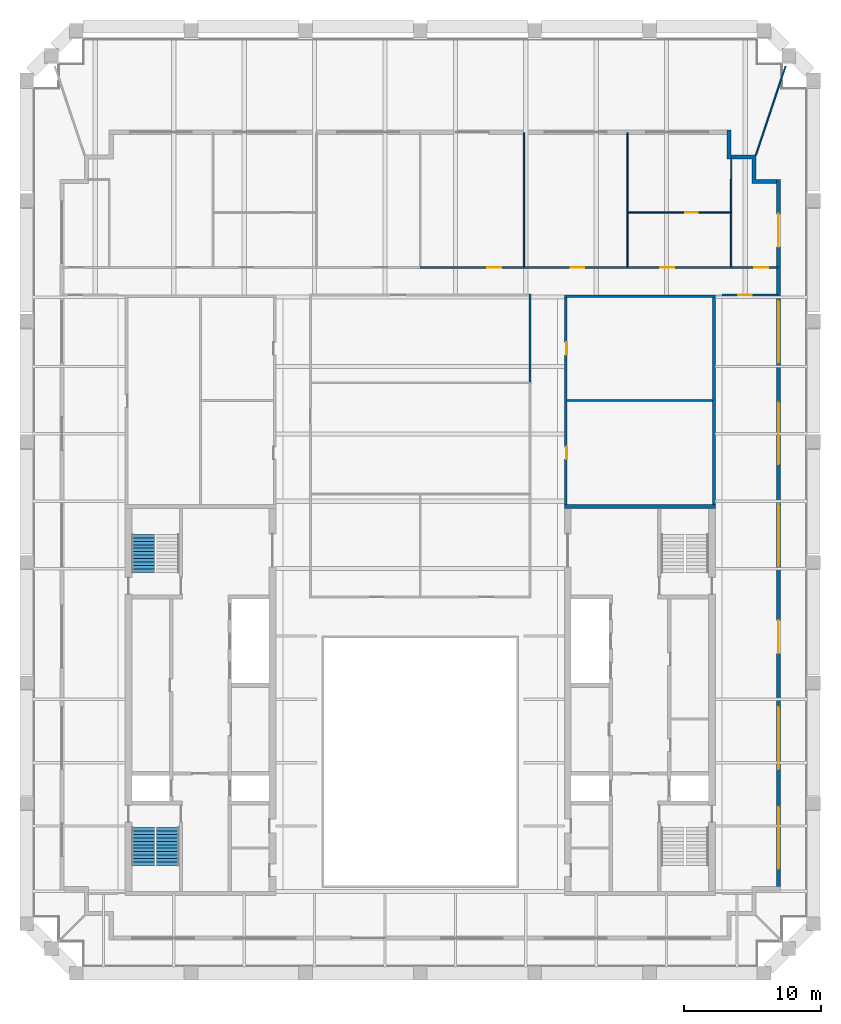
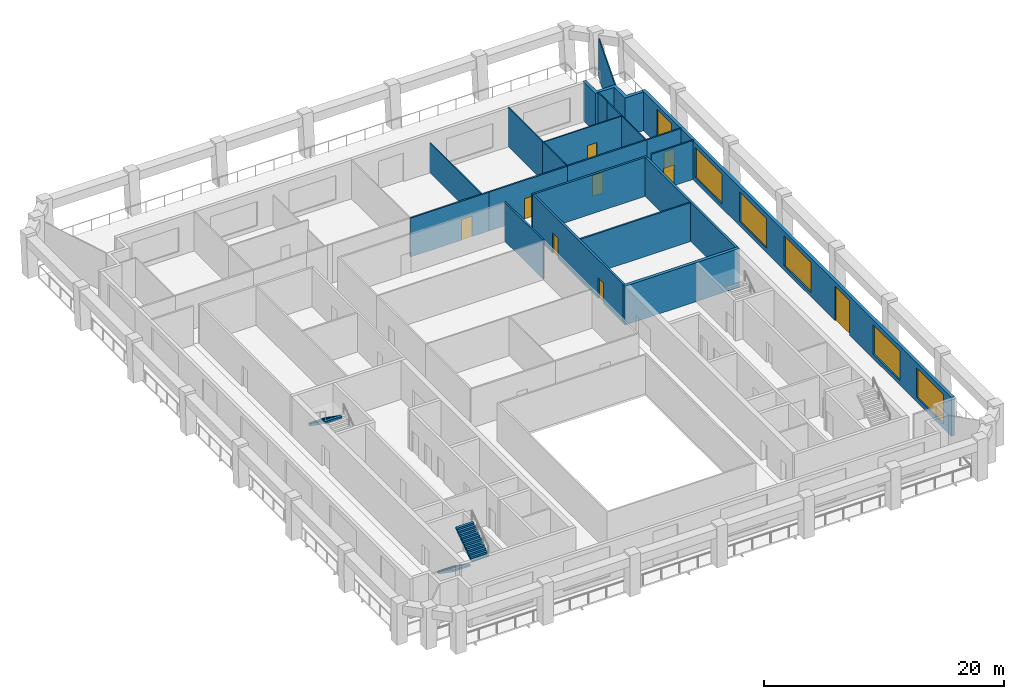
# One storey, part 6 of 9: 21 walls, 10 doors, 5 windows, 3 stair flights, 15 openings, 2 elements without a shape of their own.
"""IFC4 building model written with IfcOpenShell, lengths in metres."""

from ifc_helpers import new_model, si_unit, direction, frame, frame_2d, origin, place, context, subcontext, project, spatial, polyline, rectangle, outline, extrude, material, layer, layer_set, type_object, element, fill, aggregate, save


model = new_model("IFC4")

# Units and contexts
model_context = context("Model", 3, precision=1e-05, world=origin(), true_north=direction((0.0, 1.0)))
body_context = subcontext(model_context, "Body", "Model", "MODEL_VIEW")
ifc_project = project(units=[si_unit("LENGTHUNIT", "METRE"), si_unit("AREAUNIT", "SQUARE_METRE"), si_unit("VOLUMEUNIT", "CUBIC_METRE"), si_unit("PLANEANGLEUNIT", "RADIAN"), si_unit("MASSUNIT", "GRAM", prefix="KILO")], contexts=[model_context])

# Site, building, storey
site_placement = place(None, origin())
site = spatial("IfcSite", under=ifc_project, at=site_placement, CompositionType="ELEMENT")
building_placement = place(site_placement, origin())
building = spatial("IfcBuilding", under=site, at=building_placement, Name="Ogive Exchange Tower", CompositionType="ELEMENT")
storey_placement = place(building_placement, frame((0.0, 0.0, 355.199951171875)))
storey = spatial("IfcBuildingStorey", under=building, at=storey_placement, Name="L78", CompositionType="ELEMENT", Elevation=355.199951171875)

# Wall
ifc_material_1 = material(Name="Gypsum board partition")
ifc_layer_1 = layer(ifc_material_1, 0.14990234375)
ifc_layer_set_1 = layer_set([ifc_layer_1], Name="Core room partition 150 gypsum")
wall_type_1 = type_object("IfcWallType", Name="Core room partition 150 gypsum", PredefinedType="PARTITIONING", material=ifc_layer_set_1)
wall_1_placement = place(storey_placement, frame((10.699951171875, 33.300048828125, 0.0), z_axis=(0.0, 0.0, 1.0), x_axis=(1.0, 0.0, 0.0)))
element("IfcWall", 1, at=wall_1_placement, inside=storey, type_object=wall_type_1, Name="E annex N cross wall", PredefinedType="PARTITIONING", context=body_context, shape_type="SweptSolid", body=[
    extrude(rectangle(XDim=10.60009765625, YDim=0.14990234375, at=frame_2d((5.300048828125, 0.0))), origin(), (0.0, 0.0, 1.0), 3.949951171875),
])

# Wall, opening, door
ifc_material_2 = material(Name="Fire partition EI 60 150")
ifc_layer_2 = layer(ifc_material_2, 0.14990234375)
ifc_layer_set_2 = layer_set([ifc_layer_2], Name="Fire partition EI 60 150")
wall_type_2 = type_object("IfcWallType", Name="Fire partition EI 60 150", PredefinedType="PARTITIONING", material=ifc_layer_set_2)
wall_2_placement = place(storey_placement, frame((0.0, 43.0, 0.0), z_axis=(0.0, 0.0, 1.0), x_axis=(1.0, 0.0, 0.0)))
wall_2 = element("IfcWall", 2, at=wall_2_placement, inside=storey, type_object=wall_type_2, Name="L78-PWL-025", PredefinedType="PARTITIONING", context=body_context, shape_type="SweptSolid", body=[
    extrude(rectangle(XDim=7.60009765625, YDim=0.14990234375, at=frame_2d((3.800048828125, 0.0))), origin(), (0.0, 0.0, 1.0), 3.949951171875),
])
opening_1_placement = place(wall_2_placement, frame((4.89990234375, 0.0, 0.0)))
opening_1 = element("IfcOpeningElement", 3, at=opening_1_placement, cuts=wall_2, Name="Opening L78-I05", PredefinedType="OPENING", context=body_context, shape_type="SweptSolid", body=[
    extrude(rectangle(XDim=1.0, YDim=2.10009765625, at=frame_2d((0.5, 1.050048828125))), frame((0.0, 0.0849609375, 0.0), z_axis=(0.0, -1.0, 0.0), x_axis=(1.0, 0.0, 0.0)), (0.0, 0.0, 1.0), 0.169921875),
])
ifc_material_3 = material(Name="Fire door FD 30S 1000 x 2100")
door_type_1 = type_object("IfcDoorType", Name="Fire door FD 30S 1000 x 2100", OperationType="NOTDEFINED", PredefinedType="DOOR", material=ifc_material_3)
door_1_placement = place(opening_1_placement, origin())
door_1 = element("IfcDoor", 4, at=door_1_placement, inside=storey, type_object=door_type_1, Name="L78-IDR-005", ObjectType="DT3", OperationType="SINGLE_SWING_LEFT", OverallHeight=2.10009765625, OverallWidth=1.0, PredefinedType="DOOR", context=body_context, shape_type="SweptSolid", body=[
    extrude(rectangle(XDim=1.0, YDim=2.10009765625, at=frame_2d((0.5, 1.050048828125))), frame((0.0, 0.02490234375, 0.0), z_axis=(0.0, -1.0, 0.0), x_axis=(1.0, 0.0, 0.0)), (0.0, 0.0, 1.0), 0.050048828125),
])
fill(opening_1, door_1)

wall_3_placement = place(storey_placement, frame((7.550048828125, 43.0, 0.0), z_axis=(0.0, 0.0, 1.0), x_axis=(1.0, 0.0, 0.0)))
wall_3 = element("IfcWall", 5, at=wall_3_placement, inside=storey, type_object=wall_type_2, Name="L78-PWL-027", PredefinedType="PARTITIONING", context=body_context, shape_type="SweptSolid", body=[
    extrude(rectangle(XDim=7.5, YDim=0.14990234375, at=frame_2d((3.75, 0.0))), origin(), (0.0, 0.0, 1.0), 3.949951171875),
])
opening_2_placement = place(wall_3_placement, frame((3.39990234375, 0.0, 0.0)))
opening_2 = element("IfcOpeningElement", 6, at=opening_2_placement, cuts=wall_3, Name="Opening L78-I02", PredefinedType="OPENING", context=body_context, shape_type="SweptSolid", body=[
    extrude(rectangle(XDim=1.0, YDim=2.10009765625, at=frame_2d((0.5, 1.050048828125))), frame((0.0, 0.0849609375, 0.0), z_axis=(0.0, -1.0, 0.0), x_axis=(1.0, 0.0, 0.0)), (0.0, 0.0, 1.0), 0.169921875),
])
door_2_placement = place(opening_2_placement, origin())
door_2 = element("IfcDoor", 7, at=door_2_placement, inside=storey, type_object=door_type_1, Name="L78-IDR-002", ObjectType="DT3", OperationType="SINGLE_SWING_LEFT", OverallHeight=2.10009765625, OverallWidth=1.0, PredefinedType="DOOR", context=body_context, shape_type="SweptSolid", body=[
    extrude(rectangle(XDim=1.0, YDim=2.10009765625, at=frame_2d((0.5, 1.050048828125))), frame((0.0, 0.02490234375, 0.0), z_axis=(0.0, -1.0, 0.0), x_axis=(1.0, 0.0, 0.0)), (0.0, 0.0, 1.0), 0.050048828125),
])
fill(opening_2, door_2)

# Wall
wall_4_placement = place(storey_placement, frame((8.0, 34.64990234375, 0.0), z_axis=(0.0, 0.0, 1.0), x_axis=(0.0, 1.0, 0.0)))
element("IfcWall", 8, at=wall_4_placement, inside=storey, type_object=wall_type_2, Name="L78-PWL-031", PredefinedType="PARTITIONING", context=body_context, shape_type="SweptSolid", body=[
    extrude(rectangle(XDim=6.425048828125, YDim=0.14990234375, at=frame_2d((3.21240234375, 0.0))), origin(), (0.0, 0.0, 1.0), 3.949951171875),
])

# Wall, opening, door
wall_5_placement = place(storey_placement, frame((15.050048828125, 43.0, 0.0), z_axis=(0.0, 0.0, 1.0), x_axis=(1.0, 0.0, 0.0)))
wall_5 = element("IfcWall", 9, at=wall_5_placement, inside=storey, type_object=wall_type_2, Name="L78-PWL-033", PredefinedType="PARTITIONING", context=body_context, shape_type="SweptSolid", body=[
    extrude(rectangle(XDim=7.64990234375, YDim=0.14990234375, at=frame_2d((3.824951171875, 0.0))), origin(), (0.0, 0.0, 1.0), 3.949951171875),
])
opening_3_placement = place(wall_5_placement, frame((2.449951171875, 0.0, 0.0)))
opening_3 = element("IfcOpeningElement", 10, at=opening_3_placement, cuts=wall_5, Name="Opening L78-I03", PredefinedType="OPENING", context=body_context, shape_type="SweptSolid", body=[
    extrude(rectangle(XDim=1.0, YDim=2.10009765625, at=frame_2d((0.5, 1.050048828125))), frame((0.0, 0.0849609375, 0.0), z_axis=(0.0, -1.0, 0.0), x_axis=(1.0, 0.0, 0.0)), (0.0, 0.0, 1.0), 0.169921875),
])
door_3_placement = place(opening_3_placement, origin())
door_3 = element("IfcDoor", 11, at=door_3_placement, inside=storey, type_object=door_type_1, Name="L78-IDR-003", ObjectType="DT3", OperationType="SINGLE_SWING_RIGHT", OverallHeight=2.10009765625, OverallWidth=1.0, PredefinedType="DOOR", context=body_context, shape_type="SweptSolid", body=[
    extrude(rectangle(XDim=1.0, YDim=2.10009765625, at=frame_2d((0.5, 1.050048828125))), frame((0.0, 0.02490234375, 0.0), z_axis=(0.0, -1.0, 0.0), x_axis=(1.0, 0.0, 0.0)), (0.0, 0.0, 1.0), 0.050048828125),
])
fill(opening_3, door_3)

wall_6_placement = place(storey_placement, frame((22.699951171875, 43.0, 0.0), z_axis=(0.0, 0.0, 1.0), x_axis=(1.0, 0.0, 0.0)))
wall_6 = element("IfcWall", 12, at=wall_6_placement, inside=storey, type_object=wall_type_2, Name="L78-PWL-039", PredefinedType="PARTITIONING", context=body_context, shape_type="SweptSolid", body=[
    extrude(rectangle(XDim=3.35009765625, YDim=0.14990234375, at=frame_2d((1.675048828125, 0.0))), origin(), (0.0, 0.0, 1.0), 3.949951171875),
])
opening_4_placement = place(wall_6_placement, frame((1.64990234375, 0.0, 0.0)))
opening_4 = element("IfcOpeningElement", 13, at=opening_4_placement, cuts=wall_6, Name="Opening L78-I01", PredefinedType="OPENING", context=body_context, shape_type="SweptSolid", body=[
    extrude(rectangle(XDim=1.0, YDim=2.10009765625, at=frame_2d((0.5, 1.050048828125))), frame((0.0, 0.0849609375, 0.0), z_axis=(0.0, -1.0, 0.0), x_axis=(1.0, 0.0, 0.0)), (0.0, 0.0, 1.0), 0.169921875),
])
door_4_placement = place(opening_4_placement, origin())
door_4 = element("IfcDoor", 14, at=door_4_placement, inside=storey, type_object=door_type_1, Name="L78-IDR-001", ObjectType="DT3", OperationType="SINGLE_SWING_LEFT", OverallHeight=2.10009765625, OverallWidth=1.0, PredefinedType="DOOR", context=body_context, shape_type="SweptSolid", body=[
    extrude(rectangle(XDim=1.0, YDim=2.10009765625, at=frame_2d((0.5, 1.050048828125))), frame((0.0, 0.02490234375, 0.0), z_axis=(0.0, -1.0, 0.0), x_axis=(1.0, 0.0, 0.0)), (0.0, 0.0, 1.0), 0.050048828125),
])
fill(opening_4, door_4)

wall_7_placement = place(storey_placement, frame((26.050048828125, 41.0, 0.0), z_axis=(0.0, 0.0, 1.0), x_axis=(-1.0, 0.0, 0.0)))
wall_7 = element("IfcWall", 15, at=wall_7_placement, inside=storey, type_object=wall_type_2, Name="L78-PWL-042", PredefinedType="PARTITIONING", context=body_context, shape_type="SweptSolid", body=[
    extrude(rectangle(XDim=4.050048828125, YDim=0.14990234375, at=frame_2d((2.02490234375, 0.0))), origin(), (0.0, 0.0, 1.0), 3.949951171875),
])
opening_5_placement = place(wall_7_placement, frame((1.89990234375, 0.0, 0.0)))
opening_5 = element("IfcOpeningElement", 16, at=opening_5_placement, cuts=wall_7, Name="Opening L78-I16", PredefinedType="OPENING", context=body_context, shape_type="SweptSolid", body=[
    extrude(rectangle(XDim=1.0, YDim=2.10009765625, at=frame_2d((0.5, 1.050048828125))), frame((0.0, 0.0849609375, 0.0), z_axis=(0.0, -1.0, 0.0), x_axis=(1.0, 0.0, 0.0)), (0.0, 0.0, 1.0), 0.169921875),
])
door_5_placement = place(opening_5_placement, origin())
door_5 = element("IfcDoor", 17, at=door_5_placement, inside=storey, type_object=door_type_1, Name="L78-IDR-016", ObjectType="DT3", OperationType="SINGLE_SWING_RIGHT", OverallHeight=2.10009765625, OverallWidth=1.0, PredefinedType="DOOR", context=body_context, shape_type="SweptSolid", body=[
    extrude(rectangle(XDim=1.0, YDim=2.10009765625, at=frame_2d((0.5, 1.050048828125))), frame((0.0, 0.02490234375, 0.0), z_axis=(0.0, -1.0, 0.0), x_axis=(1.0, 0.0, 0.0)), (0.0, 0.0, 1.0), 0.050048828125),
])
fill(opening_5, door_5)

# Wall, openings, doors, windows
ifc_material_4 = material(Name="Precast concrete C40/50", Category="concrete")
ifc_layer_3 = layer(ifc_material_4, 0.300048828125)
ifc_layer_set_3 = layer_set([ifc_layer_3], Name="Limestone-faced wall 300")
wall_type_3 = type_object("IfcWallType", Name="Limestone-faced wall 300", PredefinedType="STANDARD", material=ifc_layer_set_3)
wall_8_placement = place(storey_placement, frame((26.10009765625, -2.10009765625, 0.0), z_axis=(0.0, 0.0, 1.0), x_axis=(0.0, 1.0, 0.0)))
wall_8 = element("IfcWall", 18, at=wall_8_placement, inside=storey, type_object=wall_type_3, Name="External wall E2", PredefinedType="STANDARD", context=body_context, shape_type="SweptSolid", body=[
    extrude(rectangle(XDim=51.5, YDim=0.300048828125, at=frame_2d((25.75, 0.0))), origin(), (0.0, 0.0, 1.0), 3.949951171875),
])
opening_6_placement = place(wall_8_placement, frame((1.300048828125, 0.0, 0.449951171875)))
opening_6 = element("IfcOpeningElement", 19, at=opening_6_placement, cuts=wall_8, Name="Opening W1A", PredefinedType="OPENING", context=body_context, shape_type="SweptSolid", body=[
    extrude(rectangle(XDim=4.5, YDim=3.0, at=frame_2d((2.25, 1.5))), frame((0.0, 0.159912109375, 0.0), z_axis=(0.0, -1.0, 0.0), x_axis=(1.0, 0.0, 0.0)), (0.0, 0.0, 1.0), 0.320068359375),
])
opening_7_placement = place(wall_8_placement, frame((8.550048828125, 0.0, 0.449951171875)))
opening_7 = element("IfcOpeningElement", 20, at=opening_7_placement, cuts=wall_8, Name="Opening W1A", PredefinedType="OPENING", context=body_context, shape_type="SweptSolid", body=[
    extrude(rectangle(XDim=4.5, YDim=3.0, at=frame_2d((2.25, 1.5))), frame((0.0, 0.159912109375, 0.0), z_axis=(0.0, -1.0, 0.0), x_axis=(1.0, 0.0, 0.0)), (0.0, 0.0, 1.0), 0.320068359375),
])
opening_8_placement = place(wall_8_placement, frame((17.0, 0.0, 0.0)))
opening_8 = element("IfcOpeningElement", 21, at=opening_8_placement, cuts=wall_8, Name="Opening D1", PredefinedType="OPENING", context=body_context, shape_type="SweptSolid", body=[
    extrude(rectangle(XDim=2.39990234375, YDim=3.5, at=frame_2d((1.199951171875, 1.75))), frame((0.0, 0.159912109375, 0.0), z_axis=(0.0, -1.0, 0.0), x_axis=(1.0, 0.0, 0.0)), (0.0, 0.0, 1.0), 0.320068359375),
])
opening_9_placement = place(wall_8_placement, frame((23.35009765625, 0.0, 0.449951171875)))
opening_9 = element("IfcOpeningElement", 22, at=opening_9_placement, cuts=wall_8, Name="Opening W1", PredefinedType="OPENING", context=body_context, shape_type="SweptSolid", body=[
    extrude(rectangle(XDim=4.5, YDim=3.050048828125, at=frame_2d((2.25, 1.52490234375))), frame((0.0, 0.159912109375, 0.0), z_axis=(0.0, -1.0, 0.0), x_axis=(1.0, 0.0, 0.0)), (0.0, 0.0, 1.0), 0.320068359375),
])
opening_10_placement = place(wall_8_placement, frame((30.75, 0.0, 0.449951171875)))
opening_10 = element("IfcOpeningElement", 23, at=opening_10_placement, cuts=wall_8, Name="Opening W1A", PredefinedType="OPENING", context=body_context, shape_type="SweptSolid", body=[
    extrude(rectangle(XDim=4.5, YDim=3.0, at=frame_2d((2.25, 1.5))), frame((0.0, 0.159912109375, 0.0), z_axis=(0.0, -1.0, 0.0), x_axis=(1.0, 0.0, 0.0)), (0.0, 0.0, 1.0), 0.320068359375),
])
opening_11_placement = place(wall_8_placement, frame((38.14990234375, 0.0, 0.449951171875)))
opening_11 = element("IfcOpeningElement", 24, at=opening_11_placement, cuts=wall_8, Name="Opening W1", PredefinedType="OPENING", context=body_context, shape_type="SweptSolid", body=[
    extrude(rectangle(XDim=4.5, YDim=3.050048828125, at=frame_2d((2.25, 1.52490234375))), frame((0.0, 0.159912109375, 0.0), z_axis=(0.0, -1.0, 0.0), x_axis=(1.0, 0.0, 0.0)), (0.0, 0.0, 1.0), 0.320068359375),
])
opening_12_placement = place(wall_8_placement, frame((46.60009765625, 0.0, 0.0)))
opening_12 = element("IfcOpeningElement", 25, at=opening_12_placement, cuts=wall_8, Name="Opening D1", PredefinedType="OPENING", context=body_context, shape_type="SweptSolid", body=[
    extrude(rectangle(XDim=2.39990234375, YDim=3.5, at=frame_2d((1.199951171875, 1.75))), frame((0.0, 0.159912109375, 0.0), z_axis=(0.0, -1.0, 0.0), x_axis=(1.0, 0.0, 0.0)), (0.0, 0.0, 1.0), 0.320068359375),
])
ifc_material_5 = material(Name="Clear glass in bronze frame", Category="glass")
door_type_2 = type_object("IfcDoorType", Name="Sliding loggia door 2400 x 3500", OperationType="DOUBLE_DOOR_SLIDING", PredefinedType="DOOR", material=ifc_material_5)
door_6_placement = place(opening_8_placement, origin())
door_6 = element("IfcDoor", 26, at=door_6_placement, inside=storey, type_object=door_type_2, Name="Loggia door E02", OperationType="DOUBLE_DOOR_SLIDING", OverallHeight=3.5, OverallWidth=2.39990234375, PredefinedType="DOOR", context=body_context, shape_type="SweptSolid", body=[
    extrude(rectangle(XDim=2.39990234375, YDim=3.5, at=frame_2d((1.199951171875, 1.75))), frame((0.0, 0.02490234375, 0.0), z_axis=(0.0, -1.0, 0.0), x_axis=(1.0, 0.0, 0.0)), (0.0, 0.0, 1.0), 0.050048828125),
])
fill(opening_8, door_6)
door_7_placement = place(opening_12_placement, origin())
door_7 = element("IfcDoor", 27, at=door_7_placement, inside=storey, type_object=door_type_2, Name="Loggia door E06", OperationType="DOUBLE_DOOR_SLIDING", OverallHeight=3.5, OverallWidth=2.39990234375, PredefinedType="DOOR", context=body_context, shape_type="SweptSolid", body=[
    extrude(rectangle(XDim=2.39990234375, YDim=3.5, at=frame_2d((1.199951171875, 1.75))), frame((0.0, 0.02490234375, 0.0), z_axis=(0.0, -1.0, 0.0), x_axis=(1.0, 0.0, 0.0)), (0.0, 0.0, 1.0), 0.050048828125),
])
fill(opening_12, door_7)
window_type_1 = type_object("IfcWindowType", Name="Twin lancet window 4500 x 3000", PartitioningType="DOUBLE_PANEL_VERTICAL", PredefinedType="WINDOW", material=ifc_material_5)
window_1_placement = place(opening_6_placement, origin())
window_1 = element("IfcWindow", 28, at=window_1_placement, inside=storey, type_object=window_type_1, Name="Window E00", OverallHeight=3.0, OverallWidth=4.5, PartitioningType="DOUBLE_PANEL_VERTICAL", PredefinedType="WINDOW", context=body_context, shape_type="SweptSolid", body=[
    extrude(rectangle(XDim=4.5, YDim=3.0, at=frame_2d((2.25, 1.5))), frame((0.0, 0.030029296875, 0.0), z_axis=(0.0, -1.0, 0.0), x_axis=(1.0, 0.0, 0.0)), (0.0, 0.0, 1.0), 0.06005859375),
])
fill(opening_6, window_1)
window_2_placement = place(opening_7_placement, origin())
window_2 = element("IfcWindow", 29, at=window_2_placement, inside=storey, type_object=window_type_1, Name="Window E01", OverallHeight=3.0, OverallWidth=4.5, PartitioningType="DOUBLE_PANEL_VERTICAL", PredefinedType="WINDOW", context=body_context, shape_type="SweptSolid", body=[
    extrude(rectangle(XDim=4.5, YDim=3.0, at=frame_2d((2.25, 1.5))), frame((0.0, 0.030029296875, 0.0), z_axis=(0.0, -1.0, 0.0), x_axis=(1.0, 0.0, 0.0)), (0.0, 0.0, 1.0), 0.06005859375),
])
fill(opening_7, window_2)
window_3_placement = place(opening_10_placement, origin())
window_3 = element("IfcWindow", 30, at=window_3_placement, inside=storey, type_object=window_type_1, Name="Window E04", OverallHeight=3.0, OverallWidth=4.5, PartitioningType="DOUBLE_PANEL_VERTICAL", PredefinedType="WINDOW", context=body_context, shape_type="SweptSolid", body=[
    extrude(rectangle(XDim=4.5, YDim=3.0, at=frame_2d((2.25, 1.5))), frame((0.0, 0.030029296875, 0.0), z_axis=(0.0, -1.0, 0.0), x_axis=(1.0, 0.0, 0.0)), (0.0, 0.0, 1.0), 0.06005859375),
])
fill(opening_10, window_3)
window_type_2 = type_object("IfcWindowType", Name="Twin lancet window 4500 x 3050", PartitioningType="DOUBLE_PANEL_VERTICAL", PredefinedType="WINDOW", material=ifc_material_5)
window_4_placement = place(opening_9_placement, origin())
window_4 = element("IfcWindow", 31, at=window_4_placement, inside=storey, type_object=window_type_2, Name="Window E03", OverallHeight=3.050048828125, OverallWidth=4.5, PartitioningType="DOUBLE_PANEL_VERTICAL", PredefinedType="WINDOW", context=body_context, shape_type="SweptSolid", body=[
    extrude(rectangle(XDim=4.5, YDim=3.050048828125, at=frame_2d((2.25, 1.52490234375))), frame((0.0, 0.030029296875, 0.0), z_axis=(0.0, -1.0, 0.0), x_axis=(1.0, 0.0, 0.0)), (0.0, 0.0, 1.0), 0.06005859375),
])
fill(opening_9, window_4)
window_5_placement = place(opening_11_placement, origin())
window_5 = element("IfcWindow", 32, at=window_5_placement, inside=storey, type_object=window_type_2, Name="Window E05", OverallHeight=3.050048828125, OverallWidth=4.5, PartitioningType="DOUBLE_PANEL_VERTICAL", PredefinedType="WINDOW", context=body_context, shape_type="SweptSolid", body=[
    extrude(rectangle(XDim=4.5, YDim=3.050048828125, at=frame_2d((2.25, 1.52490234375))), frame((0.0, 0.030029296875, 0.0), z_axis=(0.0, -1.0, 0.0), x_axis=(1.0, 0.0, 0.0)), (0.0, 0.0, 1.0), 0.06005859375),
])
fill(opening_11, window_5)

# Walls
wall_9_placement = place(storey_placement, origin())
element("IfcWall", 33, at=wall_9_placement, inside=storey, type_object=wall_type_3, Name="External corner wall C2", PredefinedType="STANDARD", context=body_context, shape_type="SweptSolid", body=[
    extrude(outline(polyline([(24.14990234375, 50.89990234375), (22.35009765625, 50.89990234375), (22.35009765625, 53.0), (22.64990234375, 53.0), (22.64990234375, 51.199951171875), (24.449951171875, 51.199951171875), (24.449951171875, 49.39990234375), (25.949951171875, 49.39990234375), (25.949951171875, 49.10009765625), (24.14990234375, 49.10009765625), (24.14990234375, 50.89990234375)])), origin(), (0.0, 0.0, 1.0), 3.949951171875),
])
ifc_material_6 = material(Name="Laminated safety glass in steel frame", Category="steel")
ifc_layer_4 = layer(ifc_material_6, 0.10009765625)
ifc_layer_set_4 = layer_set([ifc_layer_4], Name="Loggia end screen 100")
wall_type_4 = type_object("IfcWallType", Name="Loggia end screen 100", PredefinedType="STANDARD", material=ifc_layer_set_4)
wall_10_placement = place(storey_placement, frame((24.449951171875, 51.199951171875, -0.050048828125), z_axis=(0.0, 0.0, 1.0), x_axis=(0.318388488285, 0.947960321178, 0.0)))
element("IfcWall", 34, at=wall_10_placement, inside=storey, type_object=wall_type_4, Name="Loggia end screen C2", PredefinedType="STANDARD", context=body_context, shape_type="SweptSolid", body=[
    extrude(rectangle(XDim=6.810791015625, YDim=0.10009765625, at=frame_2d((3.4052734375, 0.0))), origin(), (0.0, 0.0, 1.0), 4.0),
])
ifc_material_7 = material(Name="Partition 100 gypsum")
ifc_layer_5 = layer(ifc_material_7, 0.10009765625)
ifc_layer_set_5 = layer_set([ifc_layer_5], Name="Partition 100 gypsum")
wall_type_5 = type_object("IfcWallType", Name="Partition 100 gypsum", PredefinedType="PARTITIONING", material=ifc_layer_set_5)
wall_11_placement = place(storey_placement, frame((7.550048828125, 43.074951171875, 0.0), z_axis=(0.0, 0.0, 1.0), x_axis=(0.0, 1.0, 0.0)))
element("IfcWall", 35, at=wall_11_placement, inside=storey, type_object=wall_type_5, Name="L78-PWL-026", PredefinedType="PARTITIONING", context=body_context, shape_type="SweptSolid", body=[
    extrude(rectangle(XDim=9.72509765625, YDim=0.10009765625, at=frame_2d((4.862548828125, 0.0))), origin(), (0.0, 0.0, 1.0), 3.031005859375),
])
wall_12_placement = place(storey_placement, frame((15.10009765625, 47.050048828125, 0.0), z_axis=(0.0, 0.0, 1.0), x_axis=(0.0, -1.0, 0.0)))
element("IfcWall", 36, at=wall_12_placement, inside=storey, type_object=wall_type_5, Name="L78-PWL-034", PredefinedType="PARTITIONING", context=body_context, shape_type="SweptSolid", body=[
    extrude(rectangle(XDim=3.97509765625, YDim=0.10009765625, at=frame_2d((1.987548828125, 0.0))), origin(), (0.0, 0.0, 1.0), 3.949951171875),
])

# Wall, opening, door
wall_13_placement = place(storey_placement, frame((15.14990234375, 47.0, 0.0), z_axis=(0.0, 0.0, 1.0), x_axis=(1.0, 0.0, 0.0)))
wall_13 = element("IfcWall", 37, at=wall_13_placement, inside=storey, type_object=wall_type_5, Name="L78-PWL-035", PredefinedType="PARTITIONING", context=body_context, shape_type="SweptSolid", body=[
    extrude(rectangle(XDim=7.550048828125, YDim=0.10009765625, at=frame_2d((3.77490234375, 0.0))), origin(), (0.0, 0.0, 1.0), 3.949951171875),
])
opening_13_placement = place(wall_13_placement, frame((4.14990234375, 0.0, 0.0)))
opening_13 = element("IfcOpeningElement", 38, at=opening_13_placement, cuts=wall_13, Name="Opening L78-I04", PredefinedType="OPENING", context=body_context, shape_type="SweptSolid", body=[
    extrude(rectangle(XDim=0.89990234375, YDim=2.10009765625, at=frame_2d((0.449951171875, 1.050048828125))), frame((0.0, 0.06005859375, 0.0), z_axis=(0.0, -1.0, 0.0), x_axis=(1.0, 0.0, 0.0)), (0.0, 0.0, 1.0), 0.1201171875),
])
ifc_material_8 = material(Name="Door 900 x 2100")
door_type_3 = type_object("IfcDoorType", Name="Door 900 x 2100", OperationType="NOTDEFINED", PredefinedType="DOOR", material=ifc_material_8)
door_8_placement = place(opening_13_placement, frame((0.89990234375, 0.0, 0.0), z_axis=(0.0, 0.0, 1.0), x_axis=(-1.0, 0.0, 0.0)))
door_8 = element("IfcDoor", 39, at=door_8_placement, inside=storey, type_object=door_type_3, Name="L78-IDR-004", ObjectType="DT1", OperationType="SINGLE_SWING_RIGHT", OverallHeight=2.10009765625, OverallWidth=0.89990234375, PredefinedType="DOOR", context=body_context, shape_type="SweptSolid", body=[
    extrude(rectangle(XDim=0.89990234375, YDim=2.10009765625, at=frame_2d((0.449951171875, 1.050048828125))), frame((0.0, 0.02490234375, 0.0), z_axis=(0.0, -1.0, 0.0), x_axis=(1.0, 0.0, 0.0)), (0.0, 0.0, 1.0), 0.050048828125),
])
fill(opening_13, door_8)

# Walls
wall_14_placement = place(storey_placement, frame((15.10009765625, 52.800048828125, 0.0), z_axis=(0.0, 0.0, 1.0), x_axis=(0.0, -1.0, 0.0)))
element("IfcWall", 40, at=wall_14_placement, inside=storey, type_object=wall_type_5, Name="L78-PWL-036", PredefinedType="PARTITIONING", context=body_context, shape_type="SweptSolid", body=[
    extrude(rectangle(XDim=5.800048828125, YDim=0.10009765625, at=frame_2d((2.89990234375, 0.0))), origin(), (0.0, 0.0, 1.0), 3.949951171875),
])
wall_15_placement = place(storey_placement, frame((22.64990234375, 43.074951171875, 0.0), z_axis=(0.0, 0.0, 1.0), x_axis=(0.0, 1.0, 0.0)))
element("IfcWall", 41, at=wall_15_placement, inside=storey, type_object=wall_type_5, Name="L78-PWL-038", PredefinedType="PARTITIONING", context=body_context, shape_type="SweptSolid", body=[
    extrude(rectangle(XDim=3.875, YDim=0.10009765625, at=frame_2d((1.9375, 0.0))), origin(), (0.0, 0.0, 1.0), 3.949951171875),
])
wall_16_placement = place(storey_placement, frame((22.64990234375, 47.050048828125, 0.0), z_axis=(0.0, 0.0, 1.0), x_axis=(0.0, 1.0, 0.0)))
element("IfcWall", 42, at=wall_16_placement, inside=storey, type_object=wall_type_5, Name="L78-PWL-040", PredefinedType="PARTITIONING", context=body_context, shape_type="SweptSolid", body=[
    extrude(rectangle(XDim=2.35986328125, YDim=0.10009765625, at=frame_2d((1.179931640625, 0.0))), origin(), (0.0, 0.0, 1.0), 3.949951171875),
])
wall_17_placement = place(storey_placement, frame((22.659912109375, 49.409912109375, 0.0), z_axis=(0.0, 0.0, 1.0), x_axis=(0.0, 1.0, 0.0)))
element("IfcWall", 43, at=wall_17_placement, inside=storey, type_object=wall_type_5, Name="L78-PWL-041", PredefinedType="PARTITIONING", context=body_context, shape_type="SweptSolid", body=[
    extrude(rectangle(XDim=1.590087890625, YDim=0.10009765625, at=frame_2d((0.794921875, 0.0))), origin(), (0.0, 0.0, 1.0), 3.949951171875),
])
ifc_material_9 = material(Name="Concrete C70/85", Category="concrete")
ifc_layer_6 = layer(ifc_material_9, 0.199951171875)
ifc_layer_set_6 = layer_set([ifc_layer_6], Name="RC core wall 200 C70/85")
wall_type_6 = type_object("IfcWallType", Name="RC core wall 200 C70/85", PredefinedType="SHEAR", material=ifc_layer_set_6)
wall_18_placement = place(storey_placement, frame((21.39990234375, 25.75, 0.0), z_axis=(0.0, 0.0, 1.0), x_axis=(0.0, 1.0, 0.0)))
element("IfcWall", 44, at=wall_18_placement, inside=storey, type_object=wall_type_6, Name="E annex N outer wall", PredefinedType="SHEAR", context=body_context, shape_type="SweptSolid", body=[
    extrude(rectangle(XDim=15.050048828125, YDim=0.199951171875, at=frame_2d((7.52490234375, 0.0))), origin(), (0.0, 0.0, 1.0), 3.949951171875),
])

# Wall, openings, doors
wall_19_placement = place(storey_placement, frame((10.60009765625, 25.75, 0.0), z_axis=(0.0, 0.0, 1.0), x_axis=(0.0, 1.0, 0.0)))
wall_19 = element("IfcWall", 45, at=wall_19_placement, inside=storey, type_object=wall_type_6, Name="E annex N inner wall", PredefinedType="SHEAR", context=body_context, shape_type="SweptSolid", body=[
    extrude(rectangle(XDim=15.050048828125, YDim=0.199951171875, at=frame_2d((7.52490234375, 0.0))), origin(), (0.0, 0.0, 1.0), 3.949951171875),
])
opening_14_placement = place(wall_19_placement, frame((3.28759765625, 0.0, 0.0)))
opening_14 = element("IfcOpeningElement", 46, at=opening_14_placement, cuts=wall_19, Name="Opening L78-C35", PredefinedType="OPENING", context=body_context, shape_type="SweptSolid", body=[
    extrude(rectangle(XDim=0.89990234375, YDim=2.10009765625, at=frame_2d((0.449951171875, 1.050048828125))), frame((0.0, 0.10986328125, 0.0), z_axis=(0.0, -1.0, 0.0), x_axis=(1.0, 0.0, 0.0)), (0.0, 0.0, 1.0), 0.219970703125),
])
opening_15_placement = place(wall_19_placement, frame((10.887451171875, 0.0, 0.0)))
opening_15 = element("IfcOpeningElement", 47, at=opening_15_placement, cuts=wall_19, Name="Opening L78-C36", PredefinedType="OPENING", context=body_context, shape_type="SweptSolid", body=[
    extrude(rectangle(XDim=0.89990234375, YDim=2.10009765625, at=frame_2d((0.449951171875, 1.050048828125))), frame((0.0, 0.10986328125, 0.0), z_axis=(0.0, -1.0, 0.0), x_axis=(1.0, 0.0, 0.0)), (0.0, 0.0, 1.0), 0.219970703125),
])
ifc_material_10 = material(Name="Timber fire door", Category="wood")
door_type_4 = type_object("IfcDoorType", Name="Core room door FD30S 900 x 2100", OperationType="NOTDEFINED", PredefinedType="DOOR", material=ifc_material_10)
door_9_placement = place(opening_14_placement, origin())
door_9 = element("IfcDoor", 48, at=door_9_placement, inside=storey, type_object=door_type_4, Name="Core room door", ObjectType="CD6", OperationType="SINGLE_SWING_RIGHT", OverallHeight=2.10009765625, OverallWidth=0.89990234375, PredefinedType="DOOR", context=body_context, shape_type="SweptSolid", body=[
    extrude(rectangle(XDim=0.89990234375, YDim=2.10009765625, at=frame_2d((0.449951171875, 1.050048828125))), frame((0.0, -0.0498046875, 0.0), z_axis=(0.0, -1.0, 0.0), x_axis=(1.0, 0.0, 0.0)), (0.0, 0.0, 1.0), 0.050048828125),
])
fill(opening_14, door_9)
ifc_material_11 = material(Name="Steel fire door", Category="steel")
door_type_5 = type_object("IfcDoorType", Name="Riser door FD60 900 x 2100", OperationType="NOTDEFINED", PredefinedType="DOOR", material=ifc_material_11)
door_10_placement = place(opening_15_placement, origin())
door_10 = element("IfcDoor", 49, at=door_10_placement, inside=storey, type_object=door_type_5, Name="Riser door", ObjectType="CD2", OperationType="SINGLE_SWING_RIGHT", OverallHeight=2.10009765625, OverallWidth=0.89990234375, PredefinedType="DOOR", context=body_context, shape_type="SweptSolid", body=[
    extrude(rectangle(XDim=0.89990234375, YDim=2.10009765625, at=frame_2d((0.449951171875, 1.050048828125))), frame((0.0, -0.0498046875, 0.0), z_axis=(0.0, -1.0, 0.0), x_axis=(1.0, 0.0, 0.0)), (0.0, 0.0, 1.0), 0.050048828125),
])
fill(opening_15, door_10)

# Walls
wall_20_placement = place(storey_placement, frame((10.5, 40.89990234375, 0.0), z_axis=(0.0, 0.0, 1.0), x_axis=(1.0, 0.0, 0.0)))
element("IfcWall", 50, at=wall_20_placement, inside=storey, type_object=wall_type_6, Name="E annex N end wall", PredefinedType="SHEAR", context=body_context, shape_type="SweptSolid", body=[
    extrude(rectangle(XDim=11.0, YDim=0.199951171875, at=frame_2d((5.5, 0.0))), origin(), (0.0, 0.0, 1.0), 3.949951171875),
])
ifc_layer_7 = layer(ifc_material_9, 0.300048828125)
ifc_layer_set_7 = layer_set([ifc_layer_7], Name="RC core wall 300 C70/85")
wall_type_7 = type_object("IfcWallType", Name="RC core wall 300 C70/85", PredefinedType="SHEAR", material=ifc_layer_set_7)
wall_21_placement = place(storey_placement, frame((10.5, 25.60009765625, 0.0), z_axis=(0.0, 0.0, 1.0), x_axis=(1.0, 0.0, 0.0)))
element("IfcWall", 51, at=wall_21_placement, inside=storey, type_object=wall_type_7, Name="E north end wall", PredefinedType="SHEAR", context=body_context, shape_type="SweptSolid", body=[
    extrude(rectangle(XDim=11.0, YDim=0.300048828125, at=frame_2d((5.5, 0.0))), origin(), (0.0, 0.0, 1.0), 3.949951171875),
])

# Stair, stair flights
ifc_material_12 = material(Name="Concrete C40/50", Category="concrete")
stair_type = type_object("IfcStairType", Name="Exit stair 1650 wide", PredefinedType="HALF_TURN_STAIR", material=ifc_material_12)
stair_1_placement = place(storey_placement, origin())
stair_1 = element("IfcStair", 52, at=stair_1_placement, inside=storey, type_object=stair_type, Name="L78 exit stair ST1", PredefinedType="HALF_TURN_STAIR")
stair_flight_type = type_object("IfcStairFlightType", Name="Stair flight 1650 wide", PredefinedType="STRAIGHT", material=ifc_material_12)
stair_flight_1_placement = place(storey_placement, frame((-20.175048828125, 2.199951171875, 0.0), z_axis=(0.0, 0.0, 1.0), x_axis=(0.0, -1.0, 0.0)))
stair_flight_1 = element("IfcStairFlight", 53, at=stair_flight_1_placement, type_object=stair_flight_type, Name="ST1 flight 1", NumberOfRisers=12, NumberOfTreads=11, PredefinedType="STRAIGHT", RiserHeight=0.175, TreadLength=0.25, context=body_context, shape_type="SweptSolid", body=[
    extrude(outline(polyline([(0.0, 0.0), (0.0, 0.175048828125), (0.25, 0.175048828125), (0.25, 0.35009765625), (0.5, 0.35009765625), (0.5, 0.52490234375), (0.75, 0.52490234375), (0.75, 0.699951171875), (1.0, 0.699951171875), (1.0, 0.875), (1.25, 0.875), (1.25, 1.050048828125), (1.5, 1.050048828125), (1.5, 1.22509765625), (1.75, 1.22509765625), (1.75, 1.39990234375), (2.0, 1.39990234375), (2.0, 1.574951171875), (2.25, 1.574951171875), (2.25, 1.75), (2.5, 1.75), (2.5, 1.925048828125), (2.75, 1.925048828125), (2.75, 2.10009765625), (2.75, 1.741943359375), (0.261474609375, 0.0), (0.0, 0.0)])), frame((0.0, 0.824951171875, 0.0), z_axis=(0.0, -1.0, 0.0), x_axis=(1.0, 0.0, 0.0)), (0.0, 0.0, 1.0), 1.64990234375),
])
stair_flight_2_placement = place(storey_placement, frame((-18.375, -0.550048828125, 2.10009765625), z_axis=(0.0, 0.0, 1.0), x_axis=(0.0, 1.0, 0.0)))
stair_flight_2 = element("IfcStairFlight", 54, at=stair_flight_2_placement, type_object=stair_flight_type, Name="ST1 flight 2", NumberOfRisers=12, NumberOfTreads=11, PredefinedType="STRAIGHT", RiserHeight=0.175, TreadLength=0.25, context=body_context, shape_type="SweptSolid", body=[
    extrude(outline(polyline([(0.0, 0.0), (0.0, 0.175048828125), (0.25, 0.175048828125), (0.25, 0.35009765625), (0.5, 0.35009765625), (0.5, 0.52490234375), (0.75, 0.52490234375), (0.75, 0.699951171875), (1.0, 0.699951171875), (1.0, 0.875), (1.25, 0.875), (1.25, 1.050048828125), (1.5, 1.050048828125), (1.5, 1.22509765625), (1.75, 1.22509765625), (1.75, 1.39990234375), (2.0, 1.39990234375), (2.0, 1.574951171875), (2.25, 1.574951171875), (2.25, 1.75), (2.5, 1.75), (2.5, 1.925048828125), (2.75, 1.925048828125), (2.75, 2.10009765625), (2.75, 1.741943359375), (0.261474609375, 0.0), (0.0, 0.0)])), frame((0.0, 0.824951171875, 0.0), z_axis=(0.0, -1.0, 0.0), x_axis=(1.0, 0.0, 0.0)), (0.0, 0.0, 1.0), 1.64990234375),
])
aggregate(stair_1, [stair_flight_1, stair_flight_2])

# Stair, stair flight
stair_2_placement = place(storey_placement, origin())
stair_2 = element("IfcStair", 55, at=stair_2_placement, inside=storey, type_object=stair_type, Name="L78 exit stair ST2", PredefinedType="HALF_TURN_STAIR")
stair_flight_3_placement = place(storey_placement, frame((-20.175048828125, 23.550048828125, 2.10009765625), z_axis=(0.0, 0.0, 1.0), x_axis=(0.0, -1.0, 0.0)))
stair_flight_3 = element("IfcStairFlight", 56, at=stair_flight_3_placement, type_object=stair_flight_type, Name="ST2 flight 2", NumberOfRisers=12, NumberOfTreads=11, PredefinedType="STRAIGHT", RiserHeight=0.175, TreadLength=0.25, context=body_context, shape_type="SweptSolid", body=[
    extrude(outline(polyline([(0.0, 0.0), (0.0, 0.175048828125), (0.25, 0.175048828125), (0.25, 0.35009765625), (0.5, 0.35009765625), (0.5, 0.52490234375), (0.75, 0.52490234375), (0.75, 0.699951171875), (1.0, 0.699951171875), (1.0, 0.875), (1.25, 0.875), (1.25, 1.050048828125), (1.5, 1.050048828125), (1.5, 1.22509765625), (1.75, 1.22509765625), (1.75, 1.39990234375), (2.0, 1.39990234375), (2.0, 1.574951171875), (2.25, 1.574951171875), (2.25, 1.75), (2.5, 1.75), (2.5, 1.925048828125), (2.75, 1.925048828125), (2.75, 2.10009765625), (2.75, 1.741943359375), (0.261474609375, 0.0), (0.0, 0.0)])), frame((0.0, 0.824951171875, 0.0), z_axis=(0.0, -1.0, 0.0), x_axis=(1.0, 0.0, 0.0)), (0.0, 0.0, 1.0), 1.64990234375),
])
aggregate(stair_2, [stair_flight_3])

save(model, "model.ifc")
